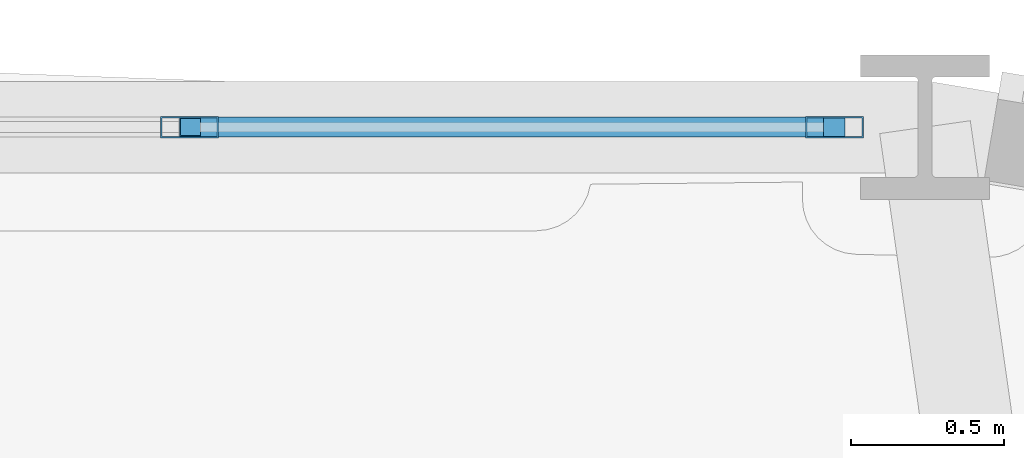
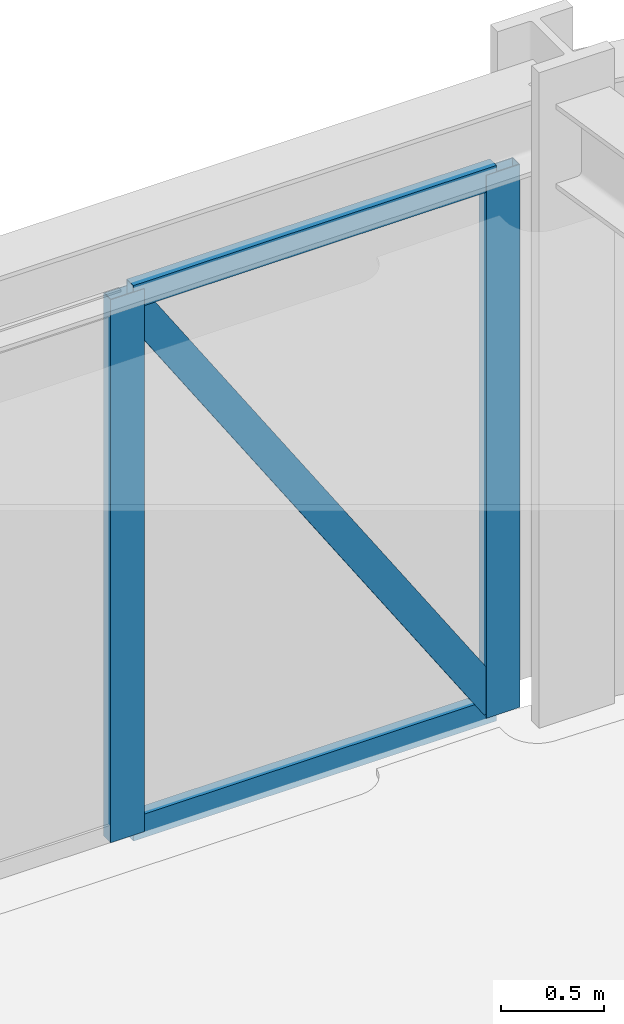
# One storey, part 14 of 22: 5 members, 1 element without a shape of its own.
"""IFC4 building model written with IfcOpenShell, lengths in metres."""

from ifc_helpers import new_model, si_unit, derived_unit, direction, frame, origin, origin_2d, place, context, subcontext, project, spatial, hollow_rectangle, extrude, source, transform, mapped, material, layer, layer_set, material_profile, profile_set, type_object, element, aggregate, save


model = new_model("IFC4")

# Units and contexts
model_context = context("Model", 3, precision=1e-05, world=origin(), true_north=direction((0.0, 1.0)))
body_context = subcontext(model_context, "Body", "Model", "MODEL_VIEW")
ifc_project = project(units=[si_unit("LENGTHUNIT", "METRE"), si_unit("AREAUNIT", "SQUARE_METRE"), si_unit("VOLUMEUNIT", "CUBIC_METRE"), si_unit("PLANEANGLEUNIT", "RADIAN"), si_unit("MASSUNIT", "GRAM", prefix="KILO"), derived_unit("THERMALTRANSMITTANCEUNIT", [(si_unit("POWERUNIT", "WATT"), 1), (si_unit("LENGTHUNIT", "METRE"), -2), (si_unit("THERMODYNAMICTEMPERATUREUNIT", "KELVIN"), -1)])], contexts=[model_context])

# Site, building, storey
site_placement = place(None, origin())
site = spatial("IfcSite", under=ifc_project, at=site_placement, CompositionType="ELEMENT")
building_placement = place(site_placement, origin())
building = spatial("IfcBuilding", under=site, at=building_placement, Name="Korsvarv Bourse and Concert Hall", CompositionType="ELEMENT")
storey_placement = place(building_placement, frame((0.0, 0.0, 51.300048828125)))
storey = spatial("IfcBuildingStorey", under=building, at=storey_placement, Name="L12", CompositionType="ELEMENT", Elevation=51.300048828125)

# Curtain wall, members
ifc_material_1 = material(Name="Anodised aluminium and triple low-E glazing", Category="glass")
ifc_layer = layer(ifc_material_1, 0.219970703125)
ifc_layer_set = layer_set([ifc_layer], Name="Anodised aluminium and triple low-E glazing")
curtain_wall_type = type_object("IfcCurtainWallType", Name="CW-SYS-1", PredefinedType="NOTDEFINED", material=ifc_layer_set)
curtain_wall_placement = place(storey_placement, origin())
curtain_wall = element("IfcCurtainWall", 1, at=curtain_wall_placement, inside=storey, type_object=curtain_wall_type, Name="L12 CW1 curtain wall CW-L12-F03", PredefinedType="NOTDEFINED")
ifc_material_2 = material(Name="Extruded aluminium EN AW-6063 T66", Category="aluminium")
ifc_material_profile_1 = material_profile(ifc_material_2, hollow_rectangle(XDim=0.070068359375, YDim=0.18994140625, WallThickness=0.0048828125, at=origin_2d()), Name="ALU-M 70x190")
ifc_profile_set_1 = profile_set([ifc_material_profile_1], Name="Extruded aluminium EN AW-6063 T66")
member_type_1 = type_object("IfcMemberType", Name="CWM-190", PredefinedType="MULLION", material=ifc_profile_set_1)
shared_shape_1 = source(origin(), body_context, "Body", "SweptSolid", [
    extrude(hollow_rectangle(XDim=0.070068359375, YDim=0.18994140625, WallThickness=0.0048828125, at=origin_2d()), origin(), (0.0, 0.0, 1.0), 3.22998046875),
])
member_1_placement = place(storey_placement, frame((43.48779296875, 56.889404296875, 0.0), z_axis=(0.0, 0.0, 1.0), x_axis=(0.0, -1.0, 0.0)))
member_1 = element("IfcMember", 2, at=member_1_placement, type_object=member_type_1, Name="CW1 mullion 1", PredefinedType="MULLION", context=body_context, shape_type="MappedRepresentation", body=[
    mapped(shared_shape_1, transform((0.0, 0.0, 0.0), scale=1.0)),
])
member_2_placement = place(storey_placement, frame((41.373291015625, 56.889404296875, 0.0), z_axis=(0.0, 0.0, 1.0), x_axis=(0.0, -1.0, 0.0)))
member_2 = element("IfcMember", 3, at=member_2_placement, type_object=member_type_1, Name="CW1 mullion 2", PredefinedType="MULLION", context=body_context, shape_type="MappedRepresentation", body=[
    mapped(shared_shape_1, transform((0.0, 0.0, 0.0), scale=1.0)),
])
ifc_material_profile_2 = material_profile(ifc_material_2, hollow_rectangle(XDim=0.06494140625, YDim=0.139892578125, WallThickness=0.00390625, at=origin_2d()), Name="ALU-T 65x140")
ifc_profile_set_2 = profile_set([ifc_material_profile_2], Name="Extruded aluminium EN AW-6063 T66")
member_type_2 = type_object("IfcMemberType", Name="CWT-140", PredefinedType="USERDEFINED", material=ifc_profile_set_2)
shared_shape_2 = source(origin(), body_context, "Body", "SweptSolid", [
    extrude(hollow_rectangle(XDim=0.06494140625, YDim=0.139892578125, WallThickness=0.00390625, at=origin_2d()), origin(), (0.0, 0.0, 1.0), 2.044189453125),
])
member_3_placement = place(storey_placement, frame((43.45263671875, 56.889404296875, 0.032470703125), z_axis=(-1.0, 0.0, 0.0), x_axis=(0.0, -1.0, 0.0)))
member_3 = element("IfcMember", 4, at=member_3_placement, type_object=member_type_2, Name="CW1 transom 1.1", ObjectType="TRANSOM", PredefinedType="USERDEFINED", context=body_context, shape_type="MappedRepresentation", body=[
    mapped(shared_shape_2, transform((0.0, 0.0, 0.0), scale=1.0)),
])
member_4_placement = place(storey_placement, frame((43.45263671875, 56.889404296875, 3.197509765625), z_axis=(-1.0, 0.0, 0.0), x_axis=(0.0, -1.0, 0.0)))
member_4 = element("IfcMember", 5, at=member_4_placement, type_object=member_type_2, Name="CW1 transom 1.2", ObjectType="TRANSOM", PredefinedType="USERDEFINED", context=body_context, shape_type="MappedRepresentation", body=[
    mapped(shared_shape_2, transform((0.0, 0.0, 0.0), scale=1.0)),
])
ifc_material_profile_3 = material_profile(ifc_material_2, hollow_rectangle(XDim=0.06494140625, YDim=0.1650390625, WallThickness=0.0048828125, at=origin_2d()), Name="ALU-M 65x165")
ifc_profile_set_3 = profile_set([ifc_material_profile_3], Name="Extruded aluminium EN AW-6063 T66")
member_type_3 = type_object("IfcMemberType", Name="CWM-165", PredefinedType="MULLION", material=ifc_profile_set_3)
shared_shape_3 = source(origin(), body_context, "Body", "SweptSolid", [
    extrude(hollow_rectangle(XDim=0.06494140625, YDim=0.1650390625, WallThickness=0.0048828125, at=origin_2d()), origin(), (0.0, 0.0, 1.0), 3.71337890625),
])
member_5_placement = place(storey_placement, frame((43.45263671875, 56.889404296875, 0.06494140625), z_axis=(-0.550490439907, 0.0, 0.834841467328), x_axis=(0.0, -1.0, 0.0)))
member_5 = element("IfcMember", 6, at=member_5_placement, type_object=member_type_3, Name="CW1 diagonal mullion 1", PredefinedType="MULLION", context=body_context, shape_type="MappedRepresentation", body=[
    mapped(shared_shape_3, transform((0.0, 0.0, 0.0), scale=1.0)),
])
aggregate(curtain_wall, [member_1, member_2, member_3, member_4, member_5])

save(model, "model.ifc")
